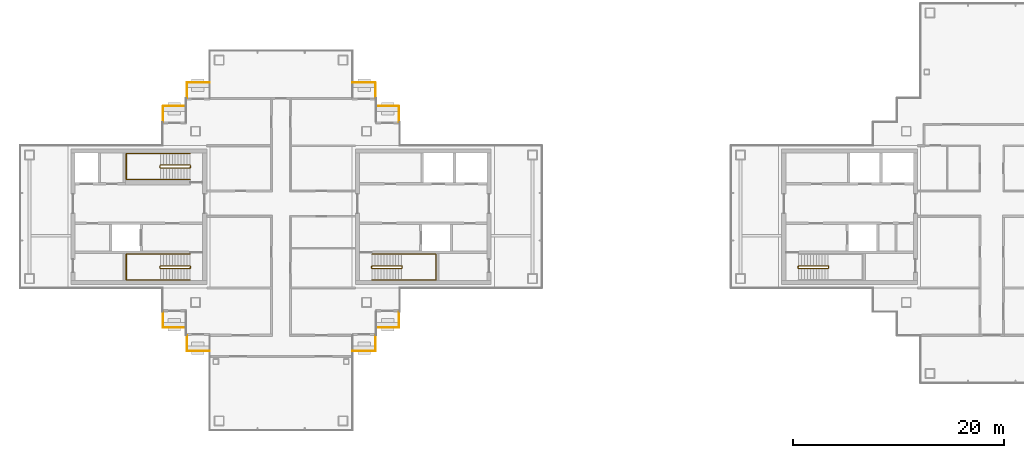
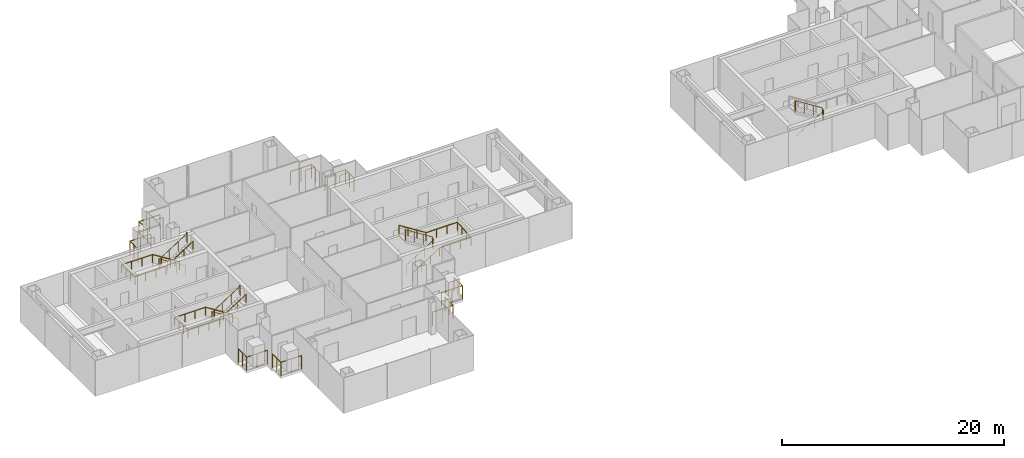
# One storey, part 14 of 16: 15 railings.
"""IFC4 building model written with IfcOpenShell, lengths in metres."""

from ifc_helpers import new_model, si_unit, direction, frame, origin, origin_2d, place, context, subcontext, project, spatial, circle, extrude, material, type_object, element, save


model = new_model("IFC4")

# Units and contexts
model_context = context("Model", 3, precision=1e-05, world=origin(), true_north=direction((0.0, 1.0)))
body_context = subcontext(model_context, "Body", "Model", "MODEL_VIEW")
ifc_project = project(units=[si_unit("LENGTHUNIT", "METRE"), si_unit("AREAUNIT", "SQUARE_METRE"), si_unit("VOLUMEUNIT", "CUBIC_METRE"), si_unit("PLANEANGLEUNIT", "RADIAN"), si_unit("MASSUNIT", "GRAM", prefix="KILO")], contexts=[model_context])

# Site, building, storey
site_placement = place(None, origin())
site = spatial("IfcSite", under=ifc_project, at=site_placement, CompositionType="ELEMENT")
building_placement = place(site_placement, origin())
building = spatial("IfcBuilding", under=site, at=building_placement, Name="Shamsa Quay Exchange Towers", CompositionType="ELEMENT")
storey_placement = place(building_placement, frame((0.0, 0.0, 265.5)))
storey = spatial("IfcBuildingStorey", under=building, at=storey_placement, Name="L64", CompositionType="ELEMENT", Elevation=265.5)

# Railings
ifc_material_1 = material(Name="Steel S355, black powder-coated", Category="steel")
railing_type_1 = type_object("IfcRailingType", Name="BALCONY GUARD 1500", PredefinedType="GUARDRAIL", material=ifc_material_1)
for number, where, name in (
    (1, (-22.550048828125, 9.02099609375, 0.0), "Balcony guard T1-PKEN L64"),
    (2, (-24.800048828125, 11.27099609375, 0.0), "Balcony guard T1-PKEN L64"),
):
    element("IfcRailing", number, at=place(storey_placement, frame(where)), inside=storey, type_object=railing_type_1, Name=name, PredefinedType="GUARDRAIL", context=body_context, shape_type="SweptSolid", body=[
        extrude(circle(Radius=0.02392578125, at=origin_2d()), frame((0.0, 0.0, 1.47607421875), z_axis=(0.0, 1.0, 0.0), x_axis=(-1.0, 0.0, 0.0)), (0.0, 0.0, 1.0), 1.47900390625),
        extrude(circle(Radius=0.02392578125, at=origin_2d()), frame((0.0, 1.47900390625, 1.47607421875), z_axis=(-1.0, 0.0, 0.0), x_axis=(0.0, -1.0, 0.0)), (0.0, 0.0, 1.0), 2.161865234375),
        extrude(circle(Radius=0.02099609375, at=origin_2d()), origin(), (0.0, 0.0, 1.0), 1.451904296875),
        extrude(circle(Radius=0.02099609375, at=origin_2d()), frame((0.0, 0.739501953125, 0.0)), (0.0, 0.0, 1.0), 1.451904296875),
        extrude(circle(Radius=0.02099609375, at=origin_2d()), frame((0.0, 1.47900390625, 0.0)), (0.0, 0.0, 1.0), 1.451904296875),
        extrude(circle(Radius=0.02099609375, at=origin_2d()), frame((-1.0810546875, 1.47900390625, 0.0)), (0.0, 0.0, 1.0), 1.451904296875),
        extrude(circle(Radius=0.02099609375, at=origin_2d()), frame((-2.161865234375, 1.47900390625, 0.0)), (0.0, 0.0, 1.0), 1.451904296875),
    ])
for number, where, name in (
    (3, (-24.7119140625, -10.5, 0.0), "Balcony guard T1-PKES L64"),
    (4, (-26.9619140625, -12.75, 0.0), "Balcony guard T1-PKES L64"),
):
    element("IfcRailing", number, at=place(storey_placement, frame(where)), inside=storey, type_object=railing_type_1, Name=name, PredefinedType="GUARDRAIL", context=body_context, shape_type="SweptSolid", body=[
        extrude(circle(Radius=0.02392578125, at=origin_2d()), frame((0.0, 0.0, 1.47607421875), z_axis=(1.0, 0.0, 0.0), x_axis=(0.0, 1.0, 0.0)), (0.0, 0.0, 1.0), 2.161865234375),
        extrude(circle(Radius=0.02392578125, at=origin_2d()), frame((2.161865234375, 0.0, 1.47607421875), z_axis=(0.0, 1.0, 0.0), x_axis=(-1.0, 0.0, 0.0)), (0.0, 0.0, 1.0), 1.47900390625),
        extrude(circle(Radius=0.02099609375, at=origin_2d()), origin(), (0.0, 0.0, 1.0), 1.451904296875),
        extrude(circle(Radius=0.02099609375, at=origin_2d()), frame((1.0810546875, 0.0, 0.0)), (0.0, 0.0, 1.0), 1.451904296875),
        extrude(circle(Radius=0.02099609375, at=origin_2d()), frame((2.161865234375, 0.0, 0.0)), (0.0, 0.0, 1.0), 1.451904296875),
        extrude(circle(Radius=0.02099609375, at=origin_2d()), frame((2.161865234375, 0.739501953125, 0.0)), (0.0, 0.0, 1.0), 1.451904296875),
        extrude(circle(Radius=0.02099609375, at=origin_2d()), frame((2.161865234375, 1.47900390625, 0.0)), (0.0, 0.0, 1.0), 1.451904296875),
    ])
for number, where, name in (
    (5, (-40.5380859375, 12.75, 0.0), "Balcony guard T1-PKWN L64"),
    (6, (-42.7880859375, 10.5, 0.0), "Balcony guard T1-PKWN L64"),
):
    element("IfcRailing", number, at=place(storey_placement, frame(where)), inside=storey, type_object=railing_type_1, Name=name, PredefinedType="GUARDRAIL", context=body_context, shape_type="SweptSolid", body=[
        extrude(circle(Radius=0.02392578125, at=origin_2d()), frame((0.0, 0.0, 1.47607421875), z_axis=(-1.0, 0.0, 0.0), x_axis=(0.0, -1.0, 0.0)), (0.0, 0.0, 1.0), 2.161865234375),
        extrude(circle(Radius=0.02392578125, at=origin_2d()), frame((-2.161865234375, 0.0, 1.47607421875), z_axis=(0.0, -1.0, 0.0), x_axis=(1.0, 0.0, 0.0)), (0.0, 0.0, 1.0), 1.47900390625),
        extrude(circle(Radius=0.02099609375, at=origin_2d()), origin(), (0.0, 0.0, 1.0), 1.451904296875),
        extrude(circle(Radius=0.02099609375, at=origin_2d()), frame((-1.0810546875, 0.0, 0.0)), (0.0, 0.0, 1.0), 1.451904296875),
        extrude(circle(Radius=0.02099609375, at=origin_2d()), frame((-2.161865234375, 0.0, 0.0)), (0.0, 0.0, 1.0), 1.451904296875),
        extrude(circle(Radius=0.02099609375, at=origin_2d()), frame((-2.161865234375, -0.739501953125, 0.0)), (0.0, 0.0, 1.0), 1.451904296875),
        extrude(circle(Radius=0.02099609375, at=origin_2d()), frame((-2.161865234375, -1.47900390625, 0.0)), (0.0, 0.0, 1.0), 1.451904296875),
    ])
for number, where, name in (
    (7, (-44.949951171875, -9.02099609375, 0.0), "Balcony guard T1-PKWS L64"),
    (8, (-42.699951171875, -11.27099609375, 0.0), "Balcony guard T1-PKWS L64"),
):
    element("IfcRailing", number, at=place(storey_placement, frame(where)), inside=storey, type_object=railing_type_1, Name=name, PredefinedType="GUARDRAIL", context=body_context, shape_type="SweptSolid", body=[
        extrude(circle(Radius=0.02392578125, at=origin_2d()), frame((0.0, 0.0, 1.47607421875), z_axis=(0.0, -1.0, 0.0), x_axis=(1.0, 0.0, 0.0)), (0.0, 0.0, 1.0), 1.47900390625),
        extrude(circle(Radius=0.02392578125, at=origin_2d()), frame((0.0, -1.47900390625, 1.47607421875), z_axis=(1.0, 0.0, 0.0), x_axis=(0.0, 1.0, 0.0)), (0.0, 0.0, 1.0), 2.161865234375),
        extrude(circle(Radius=0.02099609375, at=origin_2d()), origin(), (0.0, 0.0, 1.0), 1.451904296875),
        extrude(circle(Radius=0.02099609375, at=origin_2d()), frame((0.0, -0.739501953125, 0.0)), (0.0, 0.0, 1.0), 1.451904296875),
        extrude(circle(Radius=0.02099609375, at=origin_2d()), frame((0.0, -1.47900390625, 0.0)), (0.0, 0.0, 1.0), 1.451904296875),
        extrude(circle(Radius=0.02099609375, at=origin_2d()), frame((1.0810546875, -1.47900390625, 0.0)), (0.0, 0.0, 1.0), 1.451904296875),
        extrude(circle(Radius=0.02099609375, at=origin_2d()), frame((2.161865234375, -1.47900390625, 0.0)), (0.0, 0.0, 1.0), 1.451904296875),
    ])
ifc_material_2 = material(Name="Stainless steel", Category="steel")
railing_type_2 = type_object("IfcRailingType", Name="STAIR GUARD 1100", PredefinedType="GUARDRAIL", material=ifc_material_2)
railing_1_placement = place(storey_placement, frame((-25.10009765625, -4.89990234375, 0.17724609375)))
element("IfcRailing", 9, at=railing_1_placement, inside=storey, type_object=railing_type_2, Name="L64 ST1 stair guard 1", PredefinedType="GUARDRAIL", context=body_context, shape_type="SweptSolid", body=[
    extrude(circle(Radius=0.02392578125, at=origin_2d()), frame((0.0, 0.0, 1.076171875), z_axis=(0.844908973607, 0.0, 0.534910110503), x_axis=(0.0, 1.0, 0.0)), (0.0, 0.0, 1.0), 3.31396484375),
    extrude(circle(Radius=0.02392578125, at=origin_2d()), frame((2.800048828125, 0.0, 2.8486328125), z_axis=(0.708833529934, 0.705375805398, 0.0), x_axis=(-0.705375805398, 0.708833529934, 0.0)), (0.0, 0.0, 1.0), 0.070556640625),
    extrude(circle(Radius=0.02392578125, at=origin_2d()), frame((2.85009765625, 0.0498046875, 2.8486328125), z_axis=(0.0, 1.0, 0.0), x_axis=(-1.0, 0.0, 0.0)), (0.0, 0.0, 1.0), 0.150146484375),
    extrude(circle(Radius=0.02392578125, at=origin_2d()), frame((2.85009765625, 0.199951171875, 2.8486328125), z_axis=(-0.262233686654, 0.262233686654, 0.928691007369), x_axis=(-0.707106781187, -0.707106781187, 0.0)), (0.0, 0.0, 1.0), 0.19091796875),
    extrude(circle(Radius=0.02392578125, at=origin_2d()), frame((2.800048828125, 0.25, 3.02587890625), z_axis=(-0.844908973607, 0.0, 0.534910110503), x_axis=(0.0, -1.0, 0.0)), (0.0, 0.0, 1.0), 3.31396484375),
    extrude(circle(Radius=0.02392578125, at=origin_2d()), frame((0.0, 0.25, 4.798828125), z_axis=(-0.24142163986, -0.970420317083, 0.0), x_axis=(0.970420317083, -0.24142163986, 0.0)), (0.0, 0.0, 1.0), 0.206298828125),
    extrude(circle(Radius=0.02392578125, at=origin_2d()), frame((-0.0498046875, 0.0498046875, 4.798828125), z_axis=(0.0, 1.0, 0.0), x_axis=(-1.0, 0.0, 0.0)), (0.0, 0.0, 1.0), 0.150146484375),
    extrude(circle(Radius=0.02099609375, at=origin_2d()), origin(), (0.0, 0.0, 1.0), 1.052001953125),
    extrude(circle(Radius=0.02099609375, at=origin_2d()), frame((0.933349609375, 0.0, 0.5908203125)), (0.0, 0.0, 1.0), 1.052001953125),
    extrude(circle(Radius=0.02099609375, at=origin_2d()), frame((1.86669921875, 0.0, 1.181884765625)), (0.0, 0.0, 1.0), 1.052001953125),
    extrude(circle(Radius=0.02099609375, at=origin_2d()), frame((2.800048828125, 0.0, 1.772705078125)), (0.0, 0.0, 1.0), 1.052001953125),
    extrude(circle(Radius=0.02099609375, at=origin_2d()), frame((2.85009765625, 0.0498046875, 1.772705078125)), (0.0, 0.0, 1.0), 1.052001953125),
    extrude(circle(Radius=0.02099609375, at=origin_2d()), frame((2.85009765625, 0.199951171875, 1.772705078125)), (0.0, 0.0, 1.0), 1.052001953125),
    extrude(circle(Radius=0.02099609375, at=origin_2d()), frame((2.800048828125, 0.25, 1.949951171875)), (0.0, 0.0, 1.0), 1.052001953125),
    extrude(circle(Radius=0.02099609375, at=origin_2d()), frame((1.86669921875, 0.25, 2.540771484375)), (0.0, 0.0, 1.0), 1.052001953125),
    extrude(circle(Radius=0.02099609375, at=origin_2d()), frame((0.933349609375, 0.25, 3.1318359375)), (0.0, 0.0, 1.0), 1.052001953125),
    extrude(circle(Radius=0.02099609375, at=origin_2d()), frame((0.0, 0.25, 3.72265625)), (0.0, 0.0, 1.0), 1.052001953125),
    extrude(circle(Radius=0.02099609375, at=origin_2d()), frame((-0.0498046875, 0.0498046875, 3.72265625)), (0.0, 0.0, 1.0), 1.052001953125),
    extrude(circle(Radius=0.02099609375, at=origin_2d()), frame((-0.0498046875, 0.199951171875, 3.72265625)), (0.0, 0.0, 1.0), 1.052001953125),
])
railing_2_placement = place(storey_placement, frame((-42.39990234375, -4.64990234375, 0.17724609375)))
element("IfcRailing", 10, at=railing_2_placement, inside=storey, type_object=railing_type_2, Name="L64 ST2 stair guard 1", PredefinedType="GUARDRAIL", context=body_context, shape_type="SweptSolid", body=[
    extrude(circle(Radius=0.02392578125, at=origin_2d()), frame((0.0, 0.0, 1.076171875), z_axis=(-0.844908973607, 0.0, 0.534910110503), x_axis=(0.0, -1.0, 0.0)), (0.0, 0.0, 1.0), 3.31396484375),
    extrude(circle(Radius=0.02392578125, at=origin_2d()), frame((-2.800048828125, 0.0, 2.8486328125), z_axis=(-0.707106781187, -0.707106781187, 0.0), x_axis=(0.707106781187, -0.707106781187, 0.0)), (0.0, 0.0, 1.0), 0.07080078125),
    extrude(circle(Radius=0.02392578125, at=origin_2d()), frame((-2.85009765625, -0.050048828125, 2.8486328125), z_axis=(0.0, -1.0, 0.0), x_axis=(1.0, 0.0, 0.0)), (0.0, 0.0, 1.0), 0.150146484375),
    extrude(circle(Radius=0.02392578125, at=origin_2d()), frame((-2.85009765625, -0.2001953125, 2.8486328125), z_axis=(0.262321481514, -0.261041864531, 0.929001929653), x_axis=(0.705375805398, 0.708833529934, 0.0)), (0.0, 0.0, 1.0), 0.190673828125),
    extrude(circle(Radius=0.02392578125, at=origin_2d()), frame((-2.800048828125, -0.25, 3.02587890625), z_axis=(0.844908973607, 0.0, 0.534910110503), x_axis=(0.0, 1.0, 0.0)), (0.0, 0.0, 1.0), 3.31396484375),
    extrude(circle(Radius=0.02392578125, at=origin_2d()), frame((0.0, -0.25, 4.798828125), z_axis=(0.241699205484, 0.970351222016, 0.0), x_axis=(-0.970351222016, 0.241699205484, 0.0)), (0.0, 0.0, 1.0), 0.2060546875),
    extrude(circle(Radius=0.02392578125, at=origin_2d()), frame((0.0498046875, -0.050048828125, 4.798828125), z_axis=(0.0, -1.0, 0.0), x_axis=(1.0, 0.0, 0.0)), (0.0, 0.0, 1.0), 0.150146484375),
    extrude(circle(Radius=0.02099609375, at=origin_2d()), origin(), (0.0, 0.0, 1.0), 1.052001953125),
    extrude(circle(Radius=0.02099609375, at=origin_2d()), frame((-0.933349609375, 0.0, 0.5908203125)), (0.0, 0.0, 1.0), 1.052001953125),
    extrude(circle(Radius=0.02099609375, at=origin_2d()), frame((-1.86669921875, 0.0, 1.181884765625)), (0.0, 0.0, 1.0), 1.052001953125),
    extrude(circle(Radius=0.02099609375, at=origin_2d()), frame((-2.800048828125, 0.0, 1.772705078125)), (0.0, 0.0, 1.0), 1.052001953125),
    extrude(circle(Radius=0.02099609375, at=origin_2d()), frame((-2.85009765625, -0.050048828125, 1.772705078125)), (0.0, 0.0, 1.0), 1.052001953125),
    extrude(circle(Radius=0.02099609375, at=origin_2d()), frame((-2.85009765625, -0.2001953125, 1.772705078125)), (0.0, 0.0, 1.0), 1.052001953125),
    extrude(circle(Radius=0.02099609375, at=origin_2d()), frame((-2.800048828125, -0.25, 1.949951171875)), (0.0, 0.0, 1.0), 1.052001953125),
    extrude(circle(Radius=0.02099609375, at=origin_2d()), frame((-1.86669921875, -0.25, 2.540771484375)), (0.0, 0.0, 1.0), 1.052001953125),
    extrude(circle(Radius=0.02099609375, at=origin_2d()), frame((-0.933349609375, -0.25, 3.1318359375)), (0.0, 0.0, 1.0), 1.052001953125),
    extrude(circle(Radius=0.02099609375, at=origin_2d()), frame((0.0, -0.25, 3.72265625)), (0.0, 0.0, 1.0), 1.052001953125),
    extrude(circle(Radius=0.02099609375, at=origin_2d()), frame((0.0498046875, -0.050048828125, 3.72265625)), (0.0, 0.0, 1.0), 1.052001953125),
    extrude(circle(Radius=0.02099609375, at=origin_2d()), frame((0.0498046875, -0.2001953125, 3.72265625)), (0.0, 0.0, 1.0), 1.052001953125),
])
railing_3_placement = place(storey_placement, frame((-42.39990234375, 4.89990234375, 0.17724609375)))
element("IfcRailing", 11, at=railing_3_placement, inside=storey, type_object=railing_type_2, Name="L64 ST3 stair guard 1", PredefinedType="GUARDRAIL", context=body_context, shape_type="SweptSolid", body=[
    extrude(circle(Radius=0.02392578125, at=origin_2d()), frame((0.0, 0.0, 1.076171875), z_axis=(-0.844908973607, 0.0, 0.534910110503), x_axis=(0.0, -1.0, 0.0)), (0.0, 0.0, 1.0), 3.31396484375),
    extrude(circle(Radius=0.02392578125, at=origin_2d()), frame((-2.800048828125, 0.0, 2.8486328125), z_axis=(-0.708833529934, -0.705375805398, 0.0), x_axis=(0.705375805398, -0.708833529934, 0.0)), (0.0, 0.0, 1.0), 0.070556640625),
    extrude(circle(Radius=0.02392578125, at=origin_2d()), frame((-2.85009765625, -0.0498046875, 2.8486328125), z_axis=(0.0, -1.0, 0.0), x_axis=(1.0, 0.0, 0.0)), (0.0, 0.0, 1.0), 0.150146484375),
    extrude(circle(Radius=0.02392578125, at=origin_2d()), frame((-2.85009765625, -0.199951171875, 2.8486328125), z_axis=(0.262233686654, -0.262233686654, 0.928691007369), x_axis=(0.707106781187, 0.707106781187, 0.0)), (0.0, 0.0, 1.0), 0.19091796875),
    extrude(circle(Radius=0.02392578125, at=origin_2d()), frame((-2.800048828125, -0.25, 3.02587890625), z_axis=(0.844908973607, 0.0, 0.534910110503), x_axis=(0.0, 1.0, 0.0)), (0.0, 0.0, 1.0), 3.31396484375),
    extrude(circle(Radius=0.02392578125, at=origin_2d()), frame((0.0, -0.25, 4.798828125), z_axis=(0.24142163986, 0.970420317083, 0.0), x_axis=(-0.970420317083, 0.24142163986, 0.0)), (0.0, 0.0, 1.0), 0.206298828125),
    extrude(circle(Radius=0.02392578125, at=origin_2d()), frame((0.0498046875, -0.0498046875, 4.798828125), z_axis=(0.0, -1.0, 0.0), x_axis=(1.0, 0.0, 0.0)), (0.0, 0.0, 1.0), 0.150146484375),
    extrude(circle(Radius=0.02099609375, at=origin_2d()), origin(), (0.0, 0.0, 1.0), 1.052001953125),
    extrude(circle(Radius=0.02099609375, at=origin_2d()), frame((-0.933349609375, 0.0, 0.5908203125)), (0.0, 0.0, 1.0), 1.052001953125),
    extrude(circle(Radius=0.02099609375, at=origin_2d()), frame((-1.86669921875, 0.0, 1.181884765625)), (0.0, 0.0, 1.0), 1.052001953125),
    extrude(circle(Radius=0.02099609375, at=origin_2d()), frame((-2.800048828125, 0.0, 1.772705078125)), (0.0, 0.0, 1.0), 1.052001953125),
    extrude(circle(Radius=0.02099609375, at=origin_2d()), frame((-2.85009765625, -0.0498046875, 1.772705078125)), (0.0, 0.0, 1.0), 1.052001953125),
    extrude(circle(Radius=0.02099609375, at=origin_2d()), frame((-2.85009765625, -0.199951171875, 1.772705078125)), (0.0, 0.0, 1.0), 1.052001953125),
    extrude(circle(Radius=0.02099609375, at=origin_2d()), frame((-2.800048828125, -0.25, 1.949951171875)), (0.0, 0.0, 1.0), 1.052001953125),
    extrude(circle(Radius=0.02099609375, at=origin_2d()), frame((-1.86669921875, -0.25, 2.540771484375)), (0.0, 0.0, 1.0), 1.052001953125),
    extrude(circle(Radius=0.02099609375, at=origin_2d()), frame((-0.933349609375, -0.25, 3.1318359375)), (0.0, 0.0, 1.0), 1.052001953125),
    extrude(circle(Radius=0.02099609375, at=origin_2d()), frame((0.0, -0.25, 3.72265625)), (0.0, 0.0, 1.0), 1.052001953125),
    extrude(circle(Radius=0.02099609375, at=origin_2d()), frame((0.0498046875, -0.0498046875, 3.72265625)), (0.0, 0.0, 1.0), 1.052001953125),
    extrude(circle(Radius=0.02099609375, at=origin_2d()), frame((0.0498046875, -0.199951171875, 3.72265625)), (0.0, 0.0, 1.0), 1.052001953125),
])
railing_4_placement = place(storey_placement, frame((15.39990234375, -4.89990234375, 0.17724609375)))
element("IfcRailing", 12, at=railing_4_placement, inside=storey, type_object=railing_type_2, Name="L64 ST4 stair guard 1", PredefinedType="GUARDRAIL", context=body_context, shape_type="SweptSolid", body=[
    extrude(circle(Radius=0.02392578125, at=origin_2d()), frame((0.0, 0.0, 1.076171875), z_axis=(0.844908973607, 0.0, 0.534910110503), x_axis=(0.0, 1.0, 0.0)), (0.0, 0.0, 1.0), 3.31396484375),
    extrude(circle(Radius=0.02392578125, at=origin_2d()), frame((2.800048828125, 0.0, 2.8486328125), z_axis=(0.708833529934, 0.705375805398, 0.0), x_axis=(-0.705375805398, 0.708833529934, 0.0)), (0.0, 0.0, 1.0), 0.070556640625),
    extrude(circle(Radius=0.02392578125, at=origin_2d()), frame((2.85009765625, 0.0498046875, 2.8486328125), z_axis=(0.0, 1.0, 0.0), x_axis=(-1.0, 0.0, 0.0)), (0.0, 0.0, 1.0), 0.150146484375),
    extrude(circle(Radius=0.02392578125, at=origin_2d()), frame((2.85009765625, 0.199951171875, 2.8486328125), z_axis=(-0.262233686654, 0.262233686654, 0.928691007369), x_axis=(-0.707106781187, -0.707106781187, 0.0)), (0.0, 0.0, 1.0), 0.19091796875),
    extrude(circle(Radius=0.02392578125, at=origin_2d()), frame((2.800048828125, 0.25, 3.02587890625), z_axis=(-0.844908973607, 0.0, 0.534910110503), x_axis=(0.0, -1.0, 0.0)), (0.0, 0.0, 1.0), 3.31396484375),
    extrude(circle(Radius=0.02392578125, at=origin_2d()), frame((0.0, 0.25, 4.798828125), z_axis=(-0.24142163986, -0.970420317083, 0.0), x_axis=(0.970420317083, -0.24142163986, 0.0)), (0.0, 0.0, 1.0), 0.206298828125),
    extrude(circle(Radius=0.02392578125, at=origin_2d()), frame((-0.0498046875, 0.0498046875, 4.798828125), z_axis=(0.0, 1.0, 0.0), x_axis=(-1.0, 0.0, 0.0)), (0.0, 0.0, 1.0), 0.150146484375),
    extrude(circle(Radius=0.02099609375, at=origin_2d()), origin(), (0.0, 0.0, 1.0), 1.052001953125),
    extrude(circle(Radius=0.02099609375, at=origin_2d()), frame((0.933349609375, 0.0, 0.5908203125)), (0.0, 0.0, 1.0), 1.052001953125),
    extrude(circle(Radius=0.02099609375, at=origin_2d()), frame((1.86669921875, 0.0, 1.181884765625)), (0.0, 0.0, 1.0), 1.052001953125),
    extrude(circle(Radius=0.02099609375, at=origin_2d()), frame((2.800048828125, 0.0, 1.772705078125)), (0.0, 0.0, 1.0), 1.052001953125),
    extrude(circle(Radius=0.02099609375, at=origin_2d()), frame((2.85009765625, 0.0498046875, 1.772705078125)), (0.0, 0.0, 1.0), 1.052001953125),
    extrude(circle(Radius=0.02099609375, at=origin_2d()), frame((2.85009765625, 0.199951171875, 1.772705078125)), (0.0, 0.0, 1.0), 1.052001953125),
    extrude(circle(Radius=0.02099609375, at=origin_2d()), frame((2.800048828125, 0.25, 1.949951171875)), (0.0, 0.0, 1.0), 1.052001953125),
    extrude(circle(Radius=0.02099609375, at=origin_2d()), frame((1.86669921875, 0.25, 2.540771484375)), (0.0, 0.0, 1.0), 1.052001953125),
    extrude(circle(Radius=0.02099609375, at=origin_2d()), frame((0.933349609375, 0.25, 3.1318359375)), (0.0, 0.0, 1.0), 1.052001953125),
    extrude(circle(Radius=0.02099609375, at=origin_2d()), frame((0.0, 0.25, 3.72265625)), (0.0, 0.0, 1.0), 1.052001953125),
    extrude(circle(Radius=0.02099609375, at=origin_2d()), frame((-0.0498046875, 0.0498046875, 3.72265625)), (0.0, 0.0, 1.0), 1.052001953125),
    extrude(circle(Radius=0.02099609375, at=origin_2d()), frame((-0.0498046875, 0.199951171875, 3.72265625)), (0.0, 0.0, 1.0), 1.052001953125),
])
railing_type_3 = type_object("IfcRailingType", Name="STAIR HANDRAIL 900", PredefinedType="HANDRAIL", material=ifc_material_2)
railing_5_placement = place(storey_placement, frame((-25.10009765625, -6.0, 0.17724609375)))
element("IfcRailing", 13, at=railing_5_placement, inside=storey, type_object=railing_type_3, Name="L64 ST1 stair handrail 1", PredefinedType="HANDRAIL", context=body_context, shape_type="SweptSolid", body=[
    extrude(circle(Radius=0.02392578125, at=origin_2d()), frame((0.0, 0.0, 0.8759765625), z_axis=(0.844908973607, 0.0, 0.534910110503), x_axis=(0.0, 1.0, 0.0)), (0.0, 0.0, 1.0), 3.31396484375),
    extrude(circle(Radius=0.02392578125, at=origin_2d()), frame((2.800048828125, 0.0, 2.6484375), z_axis=(1.0, 0.0, 0.0), x_axis=(0.0, 1.0, 0.0)), (0.0, 0.0, 1.0), 3.25),
    extrude(circle(Radius=0.02392578125, at=origin_2d()), frame((6.050048828125, 0.0, 2.6484375), z_axis=(0.0, 0.997393199914, 0.07215819264), x_axis=(-1.0, 0.0, 0.0)), (0.0, 0.0, 1.0), 2.456298828125),
    extrude(circle(Radius=0.02392578125, at=origin_2d()), frame((6.050048828125, 2.449951171875, 2.82568359375), z_axis=(-1.0, 0.0, 0.0), x_axis=(0.0, -1.0, 0.0)), (0.0, 0.0, 1.0), 3.25),
    extrude(circle(Radius=0.02392578125, at=origin_2d()), frame((2.800048828125, 2.449951171875, 2.82568359375), z_axis=(-0.844908973607, 0.0, 0.534910110503), x_axis=(0.0, -1.0, 0.0)), (0.0, 0.0, 1.0), 3.31396484375),
    extrude(circle(Radius=0.02099609375, at=origin_2d()), origin(), (0.0, 0.0, 1.0), 0.851806640625),
    extrude(circle(Radius=0.02099609375, at=origin_2d()), frame((0.933349609375, 0.0, 0.5908203125)), (0.0, 0.0, 1.0), 0.851806640625),
    extrude(circle(Radius=0.02099609375, at=origin_2d()), frame((1.86669921875, 0.0, 1.181884765625)), (0.0, 0.0, 1.0), 0.851806640625),
    extrude(circle(Radius=0.02099609375, at=origin_2d()), frame((2.800048828125, 0.0, 1.772705078125)), (0.0, 0.0, 1.0), 0.851806640625),
    extrude(circle(Radius=0.02099609375, at=origin_2d()), frame((3.88330078125, 0.0, 1.772705078125)), (0.0, 0.0, 1.0), 0.851806640625),
    extrude(circle(Radius=0.02099609375, at=origin_2d()), frame((4.966796875, 0.0, 1.772705078125)), (0.0, 0.0, 1.0), 0.851806640625),
    extrude(circle(Radius=0.02099609375, at=origin_2d()), frame((6.050048828125, 0.0, 1.772705078125)), (0.0, 0.0, 1.0), 0.851806640625),
    extrude(circle(Radius=0.02099609375, at=origin_2d()), frame((6.050048828125, 0.816650390625, 1.831787109375)), (0.0, 0.0, 1.0), 0.851806640625),
    extrude(circle(Radius=0.02099609375, at=origin_2d()), frame((6.050048828125, 1.63330078125, 1.890869140625)), (0.0, 0.0, 1.0), 0.851806640625),
    extrude(circle(Radius=0.02099609375, at=origin_2d()), frame((6.050048828125, 2.449951171875, 1.949951171875)), (0.0, 0.0, 1.0), 0.851806640625),
    extrude(circle(Radius=0.02099609375, at=origin_2d()), frame((4.966796875, 2.449951171875, 1.949951171875)), (0.0, 0.0, 1.0), 0.851806640625),
    extrude(circle(Radius=0.02099609375, at=origin_2d()), frame((3.88330078125, 2.449951171875, 1.949951171875)), (0.0, 0.0, 1.0), 0.851806640625),
    extrude(circle(Radius=0.02099609375, at=origin_2d()), frame((2.800048828125, 2.449951171875, 1.949951171875)), (0.0, 0.0, 1.0), 0.851806640625),
    extrude(circle(Radius=0.02099609375, at=origin_2d()), frame((1.86669921875, 2.449951171875, 2.540771484375)), (0.0, 0.0, 1.0), 0.851806640625),
    extrude(circle(Radius=0.02099609375, at=origin_2d()), frame((0.933349609375, 2.449951171875, 3.1318359375)), (0.0, 0.0, 1.0), 0.851806640625),
    extrude(circle(Radius=0.02099609375, at=origin_2d()), frame((0.0, 2.449951171875, 3.72265625)), (0.0, 0.0, 1.0), 0.851806640625),
])
railing_6_placement = place(storey_placement, frame((-42.39990234375, -3.550048828125, 0.17724609375)))
element("IfcRailing", 14, at=railing_6_placement, inside=storey, type_object=railing_type_3, Name="L64 ST2 stair handrail 1", PredefinedType="HANDRAIL", context=body_context, shape_type="SweptSolid", body=[
    extrude(circle(Radius=0.02392578125, at=origin_2d()), frame((0.0, 0.0, 0.8759765625), z_axis=(-0.844908973607, 0.0, 0.534910110503), x_axis=(0.0, -1.0, 0.0)), (0.0, 0.0, 1.0), 3.31396484375),
    extrude(circle(Radius=0.02392578125, at=origin_2d()), frame((-2.800048828125, 0.0, 2.6484375), z_axis=(-1.0, 0.0, 0.0), x_axis=(0.0, -1.0, 0.0)), (0.0, 0.0, 1.0), 3.25),
    extrude(circle(Radius=0.02392578125, at=origin_2d()), frame((-6.050048828125, 0.0, 2.6484375), z_axis=(0.0, -0.997393199914, 0.07215819264), x_axis=(1.0, 0.0, 0.0)), (0.0, 0.0, 1.0), 2.456298828125),
    extrude(circle(Radius=0.02392578125, at=origin_2d()), frame((-6.050048828125, -2.449951171875, 2.82568359375), z_axis=(1.0, 0.0, 0.0), x_axis=(0.0, 1.0, 0.0)), (0.0, 0.0, 1.0), 3.25),
    extrude(circle(Radius=0.02392578125, at=origin_2d()), frame((-2.800048828125, -2.449951171875, 2.82568359375), z_axis=(0.844908973607, 0.0, 0.534910110503), x_axis=(0.0, 1.0, 0.0)), (0.0, 0.0, 1.0), 3.31396484375),
    extrude(circle(Radius=0.02099609375, at=origin_2d()), origin(), (0.0, 0.0, 1.0), 0.851806640625),
    extrude(circle(Radius=0.02099609375, at=origin_2d()), frame((-0.933349609375, 0.0, 0.5908203125)), (0.0, 0.0, 1.0), 0.851806640625),
    extrude(circle(Radius=0.02099609375, at=origin_2d()), frame((-1.86669921875, 0.0, 1.181884765625)), (0.0, 0.0, 1.0), 0.851806640625),
    extrude(circle(Radius=0.02099609375, at=origin_2d()), frame((-2.800048828125, 0.0, 1.772705078125)), (0.0, 0.0, 1.0), 0.851806640625),
    extrude(circle(Radius=0.02099609375, at=origin_2d()), frame((-3.88330078125, 0.0, 1.772705078125)), (0.0, 0.0, 1.0), 0.851806640625),
    extrude(circle(Radius=0.02099609375, at=origin_2d()), frame((-4.966796875, 0.0, 1.772705078125)), (0.0, 0.0, 1.0), 0.851806640625),
    extrude(circle(Radius=0.02099609375, at=origin_2d()), frame((-6.050048828125, 0.0, 1.772705078125)), (0.0, 0.0, 1.0), 0.851806640625),
    extrude(circle(Radius=0.02099609375, at=origin_2d()), frame((-6.050048828125, -0.816650390625, 1.831787109375)), (0.0, 0.0, 1.0), 0.851806640625),
    extrude(circle(Radius=0.02099609375, at=origin_2d()), frame((-6.050048828125, -1.63330078125, 1.890869140625)), (0.0, 0.0, 1.0), 0.851806640625),
    extrude(circle(Radius=0.02099609375, at=origin_2d()), frame((-6.050048828125, -2.449951171875, 1.949951171875)), (0.0, 0.0, 1.0), 0.851806640625),
    extrude(circle(Radius=0.02099609375, at=origin_2d()), frame((-4.966796875, -2.449951171875, 1.949951171875)), (0.0, 0.0, 1.0), 0.851806640625),
    extrude(circle(Radius=0.02099609375, at=origin_2d()), frame((-3.88330078125, -2.449951171875, 1.949951171875)), (0.0, 0.0, 1.0), 0.851806640625),
    extrude(circle(Radius=0.02099609375, at=origin_2d()), frame((-2.800048828125, -2.449951171875, 1.949951171875)), (0.0, 0.0, 1.0), 0.851806640625),
    extrude(circle(Radius=0.02099609375, at=origin_2d()), frame((-1.86669921875, -2.449951171875, 2.540771484375)), (0.0, 0.0, 1.0), 0.851806640625),
    extrude(circle(Radius=0.02099609375, at=origin_2d()), frame((-0.933349609375, -2.449951171875, 3.1318359375)), (0.0, 0.0, 1.0), 0.851806640625),
    extrude(circle(Radius=0.02099609375, at=origin_2d()), frame((0.0, -2.449951171875, 3.72265625)), (0.0, 0.0, 1.0), 0.851806640625),
])
railing_7_placement = place(storey_placement, frame((-42.39990234375, 6.0, 0.17724609375)))
element("IfcRailing", 15, at=railing_7_placement, inside=storey, type_object=railing_type_3, Name="L64 ST3 stair handrail 1", PredefinedType="HANDRAIL", context=body_context, shape_type="SweptSolid", body=[
    extrude(circle(Radius=0.02392578125, at=origin_2d()), frame((0.0, 0.0, 0.8759765625), z_axis=(-0.844908973607, 0.0, 0.534910110503), x_axis=(0.0, -1.0, 0.0)), (0.0, 0.0, 1.0), 3.31396484375),
    extrude(circle(Radius=0.02392578125, at=origin_2d()), frame((-2.800048828125, 0.0, 2.6484375), z_axis=(-1.0, 0.0, 0.0), x_axis=(0.0, -1.0, 0.0)), (0.0, 0.0, 1.0), 3.25),
    extrude(circle(Radius=0.02392578125, at=origin_2d()), frame((-6.050048828125, 0.0, 2.6484375), z_axis=(0.0, -0.997393199914, 0.07215819264), x_axis=(1.0, 0.0, 0.0)), (0.0, 0.0, 1.0), 2.456298828125),
    extrude(circle(Radius=0.02392578125, at=origin_2d()), frame((-6.050048828125, -2.449951171875, 2.82568359375), z_axis=(1.0, 0.0, 0.0), x_axis=(0.0, 1.0, 0.0)), (0.0, 0.0, 1.0), 3.25),
    extrude(circle(Radius=0.02392578125, at=origin_2d()), frame((-2.800048828125, -2.449951171875, 2.82568359375), z_axis=(0.844908973607, 0.0, 0.534910110503), x_axis=(0.0, 1.0, 0.0)), (0.0, 0.0, 1.0), 3.31396484375),
    extrude(circle(Radius=0.02099609375, at=origin_2d()), origin(), (0.0, 0.0, 1.0), 0.851806640625),
    extrude(circle(Radius=0.02099609375, at=origin_2d()), frame((-0.933349609375, 0.0, 0.5908203125)), (0.0, 0.0, 1.0), 0.851806640625),
    extrude(circle(Radius=0.02099609375, at=origin_2d()), frame((-1.86669921875, 0.0, 1.181884765625)), (0.0, 0.0, 1.0), 0.851806640625),
    extrude(circle(Radius=0.02099609375, at=origin_2d()), frame((-2.800048828125, 0.0, 1.772705078125)), (0.0, 0.0, 1.0), 0.851806640625),
    extrude(circle(Radius=0.02099609375, at=origin_2d()), frame((-3.88330078125, 0.0, 1.772705078125)), (0.0, 0.0, 1.0), 0.851806640625),
    extrude(circle(Radius=0.02099609375, at=origin_2d()), frame((-4.966796875, 0.0, 1.772705078125)), (0.0, 0.0, 1.0), 0.851806640625),
    extrude(circle(Radius=0.02099609375, at=origin_2d()), frame((-6.050048828125, 0.0, 1.772705078125)), (0.0, 0.0, 1.0), 0.851806640625),
    extrude(circle(Radius=0.02099609375, at=origin_2d()), frame((-6.050048828125, -0.816650390625, 1.831787109375)), (0.0, 0.0, 1.0), 0.851806640625),
    extrude(circle(Radius=0.02099609375, at=origin_2d()), frame((-6.050048828125, -1.63330078125, 1.890869140625)), (0.0, 0.0, 1.0), 0.851806640625),
    extrude(circle(Radius=0.02099609375, at=origin_2d()), frame((-6.050048828125, -2.449951171875, 1.949951171875)), (0.0, 0.0, 1.0), 0.851806640625),
    extrude(circle(Radius=0.02099609375, at=origin_2d()), frame((-4.966796875, -2.449951171875, 1.949951171875)), (0.0, 0.0, 1.0), 0.851806640625),
    extrude(circle(Radius=0.02099609375, at=origin_2d()), frame((-3.88330078125, -2.449951171875, 1.949951171875)), (0.0, 0.0, 1.0), 0.851806640625),
    extrude(circle(Radius=0.02099609375, at=origin_2d()), frame((-2.800048828125, -2.449951171875, 1.949951171875)), (0.0, 0.0, 1.0), 0.851806640625),
    extrude(circle(Radius=0.02099609375, at=origin_2d()), frame((-1.86669921875, -2.449951171875, 2.540771484375)), (0.0, 0.0, 1.0), 0.851806640625),
    extrude(circle(Radius=0.02099609375, at=origin_2d()), frame((-0.933349609375, -2.449951171875, 3.1318359375)), (0.0, 0.0, 1.0), 0.851806640625),
    extrude(circle(Radius=0.02099609375, at=origin_2d()), frame((0.0, -2.449951171875, 3.72265625)), (0.0, 0.0, 1.0), 0.851806640625),
])

save(model, "model.ifc")
